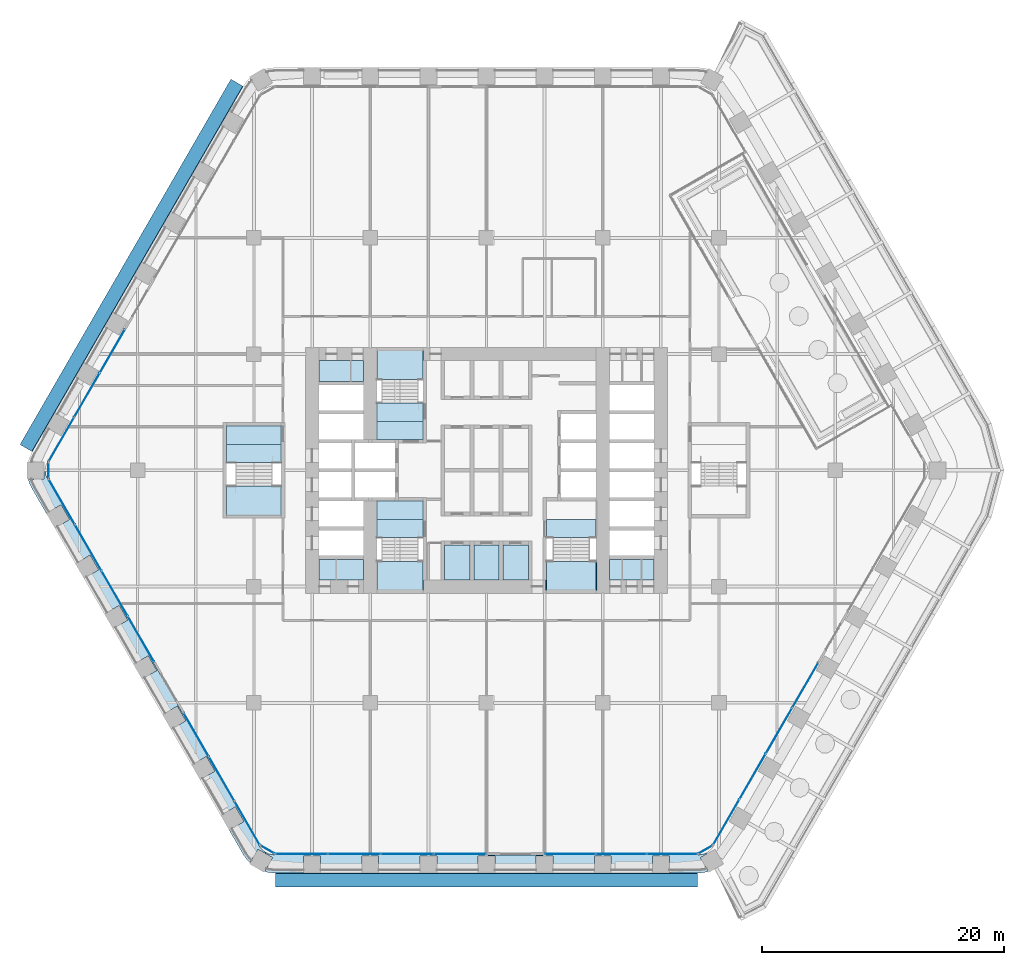
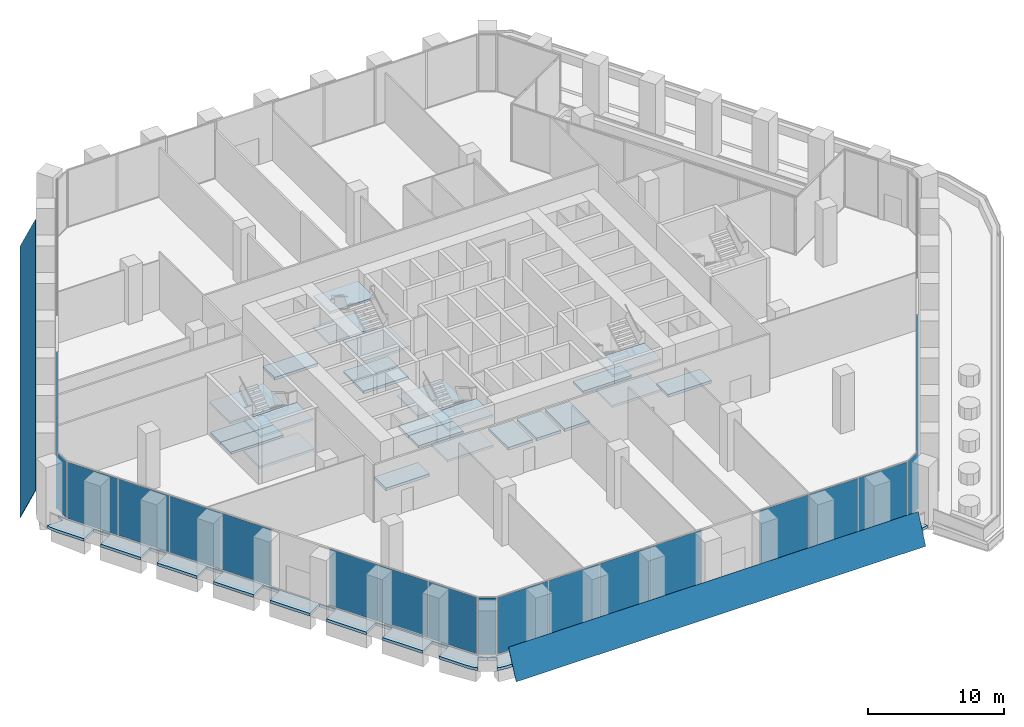
# One storey, part 17 of 32: 26 plates, 26 slabs, 13 elements without a shape of their own.
"""IFC4 building model written with IfcOpenShell, lengths in metres."""

from ifc_helpers import new_model, si_unit, direction, frame, origin, origin_2d, place, context, subcontext, project, spatial, polyline, rectangle, outline, extrude, material, layer, layer_set, type_object, element, aggregate, save


model = new_model("IFC4")

# Units and contexts
model_context = context("Model", 3, precision=1e-05, world=origin(), true_north=direction((0.0, 1.0)))
body_context = subcontext(model_context, "Body", "Model", "MODEL_VIEW")
ifc_project = project(units=[si_unit("LENGTHUNIT", "METRE"), si_unit("AREAUNIT", "SQUARE_METRE"), si_unit("VOLUMEUNIT", "CUBIC_METRE"), si_unit("PLANEANGLEUNIT", "RADIAN"), si_unit("MASSUNIT", "GRAM", prefix="KILO")], contexts=[model_context])

# Site, building, storey
site_placement = place(None, origin())
site = spatial("IfcSite", under=ifc_project, at=site_placement, CompositionType="ELEMENT")
building_placement = place(site_placement, origin())
building = spatial("IfcBuilding", under=site, at=building_placement, Name="Kolab Exchange Tower", CompositionType="ELEMENT")
storey_placement = place(building_placement, frame((0.0, 0.0, 60.89990234375)))
storey = spatial("IfcBuildingStorey", under=building, at=storey_placement, Name="L11", CompositionType="ELEMENT", Elevation=60.89990234375)

# Slabs
ifc_material_1 = material(Name="Concrete C35/45", Category="concrete")
ifc_layer_1 = layer(ifc_material_1, 0.25)
ifc_layer_set_1 = layer_set([ifc_layer_1], Name="Concrete C35/45")
slab_type_1 = type_object("IfcSlabType", Name="FLOOR SLAB 250", PredefinedType="FLOOR", material=ifc_layer_set_1)
slab_1_placement = place(storey_placement, frame((0.0, 0.0, -0.25)))
element("IfcSlab", 1, at=slab_1_placement, inside=storey, type_object=slab_type_1, Name="slab/L11/floor/8", PredefinedType="FLOOR", context=body_context, shape_type="SweptSolid", body=[
    extrude(outline(polyline([(-21.449951171875, 3.64990234375), (-21.449951171875, 2.14990234375), (-16.949951171875, 2.14990234375), (-16.949951171875, 3.64990234375), (-21.449951171875, 3.64990234375)])), origin(), (0.0, 0.0, 1.0), 0.25),
])
slab_2_placement = place(storey_placement, frame((0.0, 0.0, -0.25)))
element("IfcSlab", 2, at=slab_2_placement, inside=storey, type_object=slab_type_1, Name="slab/L11/floor/10", PredefinedType="FLOOR", context=body_context, shape_type="SweptSolid", body=[
    extrude(outline(polyline([(-10.14990234375, -9.050048828125), (-10.14990234375, -7.35009765625), (-13.85009765625, -7.35009765625), (-13.85009765625, -9.050048828125), (-10.14990234375, -9.050048828125)])), origin(), (0.0, 0.0, 1.0), 0.25),
])
slab_3_placement = place(storey_placement, frame((0.0, 0.0, -0.25)))
element("IfcSlab", 3, at=slab_3_placement, inside=storey, type_object=slab_type_1, Name="slab/L11/floor/11", PredefinedType="FLOOR", context=body_context, shape_type="SweptSolid", body=[
    extrude(outline(polyline([(-13.85009765625, 7.35009765625), (-10.14990234375, 7.35009765625), (-10.14990234375, 9.050048828125), (-13.85009765625, 9.050048828125), (-13.85009765625, 7.35009765625)])), origin(), (0.0, 0.0, 1.0), 0.25),
])
slab_4_placement = place(storey_placement, frame((0.0, 0.0, -0.25)))
element("IfcSlab", 4, at=slab_4_placement, inside=storey, type_object=slab_type_1, Name="slab/L11/floor/12", PredefinedType="FLOOR", context=body_context, shape_type="SweptSolid", body=[
    extrude(outline(polyline([(10.14990234375, -7.35009765625), (10.14990234375, -9.050048828125), (13.85009765625, -9.050048828125), (13.85009765625, -7.35009765625), (10.14990234375, -7.35009765625)])), origin(), (0.0, 0.0, 1.0), 0.25),
])
slab_5_placement = place(storey_placement, frame((0.0, 0.0, -0.25)))
element("IfcSlab", 5, at=slab_5_placement, inside=storey, type_object=slab_type_1, Name="slab/L11/floor/15", PredefinedType="FLOOR", context=body_context, shape_type="SweptSolid", body=[
    extrude(outline(polyline([(1.050048828125, -6.14990234375), (-1.050048828125, -6.14990234375), (-1.050048828125, -9.050048828125), (1.050048828125, -9.050048828125), (1.050048828125, -6.14990234375)])), origin(), (0.0, 0.0, 1.0), 0.25),
])
slab_6_placement = place(storey_placement, frame((0.0, 0.0, -0.25)))
element("IfcSlab", 6, at=slab_6_placement, inside=storey, type_object=slab_type_1, Name="slab/L11/floor/17", PredefinedType="FLOOR", context=body_context, shape_type="SweptSolid", body=[
    extrude(outline(polyline([(-1.35009765625, -6.14990234375), (-3.449951171875, -6.14990234375), (-3.449951171875, -9.050048828125), (-1.35009765625, -9.050048828125), (-1.35009765625, -6.14990234375)])), origin(), (0.0, 0.0, 1.0), 0.25),
])
slab_7_placement = place(storey_placement, frame((0.0, 0.0, -0.25)))
element("IfcSlab", 7, at=slab_7_placement, inside=storey, type_object=slab_type_1, Name="slab/L11/floor/19", PredefinedType="FLOOR", context=body_context, shape_type="SweptSolid", body=[
    extrude(outline(polyline([(1.35009765625, -6.14990234375), (1.35009765625, -9.050048828125), (3.449951171875, -9.050048828125), (3.449951171875, -6.14990234375), (1.35009765625, -6.14990234375)])), origin(), (0.0, 0.0, 1.0), 0.25),
])
slab_8_placement = place(storey_placement, frame((0.0, 0.0, -0.25)))
element("IfcSlab", 8, at=slab_8_placement, inside=storey, type_object=slab_type_1, Name="slab/L11/floor/21", PredefinedType="FLOOR", context=body_context, shape_type="SweptSolid", body=[
    extrude(outline(polyline([(-9.050048828125, -4.050048828125), (-5.25, -4.050048828125), (-5.25, -2.550048828125), (-7.25, -2.550048828125), (-7.550048828125, -2.550048828125), (-9.050048828125, -2.550048828125), (-9.050048828125, -4.050048828125)])), origin(), (0.0, 0.0, 1.0), 0.25),
])
slab_9_placement = place(storey_placement, frame((0.0, 0.0, -0.25)))
element("IfcSlab", 9, at=slab_9_placement, inside=storey, type_object=slab_type_1, Name="slab/L11/floor/22", PredefinedType="FLOOR", context=body_context, shape_type="SweptSolid", body=[
    extrude(outline(polyline([(-5.25, 4.050048828125), (-9.050048828125, 4.050048828125), (-9.050048828125, 2.550048828125), (-7.550048828125, 2.550048828125), (-7.25, 2.550048828125), (-5.25, 2.550048828125), (-5.25, 4.050048828125)])), origin(), (0.0, 0.0, 1.0), 0.25),
])
ifc_layer_2 = layer(ifc_material_1, 0.25)
ifc_layer_set_2 = layer_set([ifc_layer_2], Name="Concrete C35/45")
slab_type_2 = type_object("IfcSlabType", Name="LOGGIA SLAB 250", PredefinedType="FLOOR", material=ifc_layer_set_2)
slab_10_placement = place(storey_placement, frame((0.0, 0.0, -0.25)))
element("IfcSlab", 10, at=slab_10_placement, inside=storey, type_object=slab_type_2, Name="slab/L11/loggia/3-0", PredefinedType="FLOOR", context=body_context, shape_type="SweptSolid", body=[
    extrude(outline(polyline([(-17.98095703125, -31.664794921875), (-18.218017578125, -31.554443359375), (-18.26806640625, -31.64111328125), (-17.66162109375, -31.990966796875), (-18.31494140625, -33.122314453125), (-17.989013671875, -33.209716796875), (-17.468017578125, -33.25537109375), (-15.10009765625, -33.25537109375), (-15.10009765625, -31.85546875), (-13.699951171875, -31.85546875), (-13.699951171875, -33.25537109375), (-10.300048828125, -33.25537109375), (-10.300048828125, -31.85546875), (-8.89990234375, -31.85546875), (-8.89990234375, -33.25537109375), (-5.5, -33.25537109375), (-5.5, -31.85546875), (-4.10009765625, -31.85546875), (-4.10009765625, -33.25537109375), (-0.699951171875, -33.25537109375), (-0.699951171875, -31.85546875), (0.699951171875, -31.85546875), (0.699951171875, -33.25537109375), (4.10009765625, -33.25537109375), (4.10009765625, -31.85546875), (5.5, -31.85546875), (5.5, -33.25537109375), (8.89990234375, -33.25537109375), (8.89990234375, -31.85546875), (10.300048828125, -31.85546875), (10.300048828125, -33.25537109375), (13.699951171875, -33.25537109375), (13.699951171875, -31.85546875), (15.10009765625, -31.85546875), (15.10009765625, -33.25537109375), (17.468017578125, -33.25537109375), (17.989013671875, -33.209716796875), (18.31494140625, -33.122314453125), (17.66162109375, -31.990966796875), (18.19775390625, -31.681640625), (18.149169921875, -31.586669921875), (18.149169921875, -31.58642578125), (17.98095703125, -31.664794921875), (17.728515625, -31.732666015625), (17.468017578125, -31.75537109375), (-17.468017578125, -31.75537109375), (-17.728515625, -31.732666015625), (-17.98095703125, -31.664794921875)])), origin(), (0.0, 0.0, 1.0), 0.25),
])
slab_11_placement = place(storey_placement, frame((0.0, 0.0, -0.25)))
element("IfcSlab", 11, at=slab_11_placement, inside=storey, type_object=slab_type_2, Name="slab/L11/loggia/4-0", PredefinedType="FLOOR", context=body_context, shape_type="SweptSolid", body=[
    extrude(outline(polyline([(-36.4130859375, -0.260498046875), (-36.435791015625, 0.0), (-36.535888671875, 0.0), (-36.535888671875, -0.699951171875), (-37.84228515625, -0.699951171875), (-37.7548828125, -1.026123046875), (-37.533935546875, -1.5), (-36.35009765625, -3.55078125), (-35.137451171875, -2.8505859375), (-34.4375, -4.063232421875), (-35.64990234375, -4.76318359375), (-33.949951171875, -7.70751953125), (-32.737548828125, -7.007568359375), (-32.03759765625, -8.219970703125), (-33.25, -8.920166015625), (-31.550048828125, -11.864501953125), (-30.337646484375, -11.16455078125), (-29.637451171875, -12.376953125), (-30.85009765625, -13.076904296875), (-29.14990234375, -16.021484375), (-27.9375, -15.321533203125), (-27.237548828125, -16.533935546875), (-28.449951171875, -17.23388671875), (-26.75, -20.178466796875), (-25.53759765625, -19.478271484375), (-24.837646484375, -20.69091796875), (-26.050048828125, -21.390869140625), (-24.35009765625, -24.335205078125), (-23.137451171875, -23.63525390625), (-22.4375, -24.84765625), (-23.64990234375, -25.5478515625), (-21.949951171875, -28.4921875), (-20.737548828125, -27.792236328125), (-20.03759765625, -29.004638671875), (-21.25, -29.70458984375), (-20.06591796875, -31.75537109375), (-19.76611328125, -32.183837890625), (-19.52734375, -32.42236328125), (-18.874267578125, -31.291015625), (-18.26806640625, -31.64111328125), (-18.218017578125, -31.554443359375), (-18.43212890625, -31.404541015625), (-18.616943359375, -31.219482421875), (-18.76708984375, -31.00537109375), (-36.23486328125, -0.75), (-36.345458984375, -0.512939453125), (-36.4130859375, -0.260498046875)])), origin(), (0.0, 0.0, 1.0), 0.25),
])

# Plates
ifc_material_2 = material(Name="Laminated glass, clear", Category="glass")
ifc_layer_3 = layer(ifc_material_2, 0.0400390625)
ifc_layer_set_3 = layer_set([ifc_layer_3], Name="Laminated glass, clear")
plate_type_1 = type_object("IfcPlateType", Name="OUTER SKIN LAMINATED GLASS SHEET 40", PredefinedType="SHEET", material=ifc_layer_set_3)
plate_1_placement = place(storey_placement, frame((17.41796875, -34.4248046875, -0.782958984375), z_axis=(0.0, -0.906313371638, 0.422606285318), x_axis=(-1.0, 0.0, 0.0)))
element("IfcPlate", 12, at=plate_1_placement, inside=storey, type_object=plate_type_1, Name="Outer skin", PredefinedType="SHEET", context=body_context, shape_type="SweptSolid", body=[
    extrude(outline(polyline([(0.0, 0.0), (34.8359375, 0.0), (34.8359375, -2.681116396013965), (0.0, -2.681116396013965), (0.0, 0.0)])), origin(), (0.0, 0.0, -1.0), 0.0400390625),
])
plate_2_placement = place(storey_placement, frame((-38.521728515625, 2.1279296875, -0.782958984375), z_axis=(-0.784870208586, 0.453144779835, 0.422656555825), x_axis=(0.499999525061, 0.86602567799, -6.71128e-07)))
element("IfcPlate", 13, at=plate_2_placement, inside=storey, type_object=plate_type_1, Name="Outer skin", PredefinedType="SHEET", context=body_context, shape_type="SweptSolid", body=[
    extrude(outline(polyline([(0.0, 0.0), (34.836057421033345, 0.0), (34.83604419163577, -2.681211543593562), (0.00019820265271474935, -2.6811599499533205), (0.0, 0.0)])), origin(), (0.0, 0.0, -1.0), 0.0400390625),
])

# Stair, slabs
ifc_material_3 = material(Name="Concrete C50/60", Category="concrete")
stair_type_1 = type_object("IfcStairType", Name="STAIR ST1 RISER 171.9", PredefinedType="DOUBLE_RETURN_STAIR", material=ifc_material_3)
stair_1_placement = place(storey_placement, origin())
stair_1 = element("IfcStair", 14, at=stair_1_placement, inside=storey, type_object=stair_type_1, Name="Stair 1", PredefinedType="DOUBLE_RETURN_STAIR")
ifc_layer_4 = layer(ifc_material_3, 0.199951171875)
ifc_layer_set_4 = layer_set([ifc_layer_4], Name="Concrete C50/60")
slab_type_3 = type_object("IfcSlabType", Name="STAIR LANDING 200", PredefinedType="LANDING", material=ifc_layer_set_4)
slab_12_placement = place(storey_placement, frame((0.0, 0.0, -0.199951171875)))
slab_12 = element("IfcSlab", 15, at=slab_12_placement, type_object=slab_type_3, Name="ST1 landing 1", PredefinedType="LANDING", context=body_context, shape_type="SweptSolid", body=[
    extrude(outline(polyline([(-9.050048828125, 4.050048828125), (-5.25, 4.050048828125), (-5.25, 5.550048828125), (-9.050048828125, 5.550048828125), (-9.050048828125, 4.050048828125)])), origin(), (0.0, 0.0, 1.0), 0.199951171875),
])
slab_13_placement = place(storey_placement, frame((0.0, 0.0, 1.175048828125)))
slab_13 = element("IfcSlab", 16, at=slab_13_placement, type_object=slab_type_3, Name="ST1 landing 2", PredefinedType="LANDING", context=body_context, shape_type="SweptSolid", body=[
    extrude(outline(polyline([(-9.110107421875, 7.510009765625), (-5.18994140625, 7.510009765625), (-5.18994140625, 9.909912109375), (-9.110107421875, 9.909912109375), (-9.110107421875, 7.510009765625)])), origin(), (0.0, 0.0, 1.0), 0.199951171875),
])
slab_14_placement = place(storey_placement, frame((0.0, 0.0, 2.550048828125)))
slab_14 = element("IfcSlab", 17, at=slab_14_placement, type_object=slab_type_3, Name="ST1 landing 3", PredefinedType="LANDING", context=body_context, shape_type="SweptSolid", body=[
    extrude(outline(polyline([(-9.110107421875, 2.489990234375), (-5.18994140625, 2.489990234375), (-5.18994140625, 5.550048828125), (-9.110107421875, 5.550048828125), (-9.110107421875, 2.489990234375)])), origin(), (0.0, 0.0, 1.0), 0.199951171875),
])
slab_15_placement = place(storey_placement, frame((0.0, 0.0, 3.925048828125)))
slab_15 = element("IfcSlab", 18, at=slab_15_placement, type_object=slab_type_3, Name="ST1 landing 4", PredefinedType="LANDING", context=body_context, shape_type="SweptSolid", body=[
    extrude(outline(polyline([(-9.050048828125, 7.510009765625), (-5.25, 7.510009765625), (-5.25, 9.909912109375), (-9.050048828125, 9.909912109375), (-9.050048828125, 7.510009765625)])), origin(), (0.0, 0.0, 1.0), 0.199951171875),
])
aggregate(stair_1, [slab_12, slab_13, slab_14, slab_15])

stair_type_2 = type_object("IfcStairType", Name="STAIR ST3 RISER 171.9", PredefinedType="DOUBLE_RETURN_STAIR", material=ifc_material_3)
stair_2_placement = place(storey_placement, origin())
stair_2 = element("IfcStair", 19, at=stair_2_placement, inside=storey, type_object=stair_type_2, Name="Stair 3", PredefinedType="DOUBLE_RETURN_STAIR")
slab_16_placement = place(storey_placement, frame((0.0, 0.0, -0.199951171875)))
slab_16 = element("IfcSlab", 20, at=slab_16_placement, type_object=slab_type_3, Name="ST3 landing 1", PredefinedType="LANDING", context=body_context, shape_type="SweptSolid", body=[
    extrude(outline(polyline([(-9.050048828125, -5.550048828125), (-5.25, -5.550048828125), (-5.25, -4.050048828125), (-9.050048828125, -4.050048828125), (-9.050048828125, -5.550048828125)])), origin(), (0.0, 0.0, 1.0), 0.199951171875),
])
slab_17_placement = place(storey_placement, frame((0.0, 0.0, 1.175048828125)))
slab_17 = element("IfcSlab", 21, at=slab_17_placement, type_object=slab_type_3, Name="ST3 landing 2", PredefinedType="LANDING", context=body_context, shape_type="SweptSolid", body=[
    extrude(outline(polyline([(-9.110107421875, -9.909912109375), (-5.18994140625, -9.909912109375), (-5.18994140625, -7.510009765625), (-9.110107421875, -7.510009765625), (-9.110107421875, -9.909912109375)])), origin(), (0.0, 0.0, 1.0), 0.199951171875),
])
slab_18_placement = place(storey_placement, frame((0.0, 0.0, 2.550048828125)))
slab_18 = element("IfcSlab", 22, at=slab_18_placement, type_object=slab_type_3, Name="ST3 landing 3", PredefinedType="LANDING", context=body_context, shape_type="SweptSolid", body=[
    extrude(outline(polyline([(-9.110107421875, -5.550048828125), (-5.18994140625, -5.550048828125), (-5.18994140625, -2.489990234375), (-9.110107421875, -2.489990234375), (-9.110107421875, -5.550048828125)])), origin(), (0.0, 0.0, 1.0), 0.199951171875),
])
slab_19_placement = place(storey_placement, frame((0.0, 0.0, 3.925048828125)))
slab_19 = element("IfcSlab", 23, at=slab_19_placement, type_object=slab_type_3, Name="ST3 landing 4", PredefinedType="LANDING", context=body_context, shape_type="SweptSolid", body=[
    extrude(outline(polyline([(-9.050048828125, -9.909912109375), (-5.25, -9.909912109375), (-5.25, -7.510009765625), (-9.050048828125, -7.510009765625), (-9.050048828125, -9.909912109375)])), origin(), (0.0, 0.0, 1.0), 0.199951171875),
])
aggregate(stair_2, [slab_16, slab_17, slab_18, slab_19])

stair_type_3 = type_object("IfcStairType", Name="STAIR ST2 RISER 171.9", PredefinedType="DOUBLE_RETURN_STAIR", material=ifc_material_3)
stair_3_placement = place(storey_placement, origin())
stair_3 = element("IfcStair", 24, at=stair_3_placement, inside=storey, type_object=stair_type_3, Name="Stair 2", PredefinedType="DOUBLE_RETURN_STAIR")
slab_20_placement = place(storey_placement, frame((0.0, 0.0, -0.199951171875)))
slab_20 = element("IfcSlab", 25, at=slab_20_placement, type_object=slab_type_3, Name="ST2 landing 1", PredefinedType="LANDING", context=body_context, shape_type="SweptSolid", body=[
    extrude(outline(polyline([(4.949951171875, -5.550048828125), (9.050048828125, -5.550048828125), (9.050048828125, -4.050048828125), (4.949951171875, -4.050048828125), (4.949951171875, -5.550048828125)])), origin(), (0.0, 0.0, 1.0), 0.199951171875),
])
slab_21_placement = place(storey_placement, frame((0.0, 0.0, 1.175048828125)))
slab_21 = element("IfcSlab", 26, at=slab_21_placement, type_object=slab_type_3, Name="ST2 landing 2", PredefinedType="LANDING", context=body_context, shape_type="SweptSolid", body=[
    extrude(outline(polyline([(4.889892578125, -9.909912109375), (9.110107421875, -9.909912109375), (9.110107421875, -7.510009765625), (4.889892578125, -7.510009765625), (4.889892578125, -9.909912109375)])), origin(), (0.0, 0.0, 1.0), 0.199951171875),
])
slab_22_placement = place(storey_placement, frame((0.0, 0.0, 3.925048828125)))
slab_22 = element("IfcSlab", 27, at=slab_22_placement, type_object=slab_type_3, Name="ST2 landing 4", PredefinedType="LANDING", context=body_context, shape_type="SweptSolid", body=[
    extrude(outline(polyline([(4.949951171875, -9.909912109375), (9.050048828125, -9.909912109375), (9.050048828125, -7.510009765625), (4.949951171875, -7.510009765625), (4.949951171875, -9.909912109375)])), origin(), (0.0, 0.0, 1.0), 0.199951171875),
])
aggregate(stair_3, [slab_20, slab_21, slab_22])

stair_type_4 = type_object("IfcStairType", Name="STAIR ST5 RISER 171.9", PredefinedType="DOUBLE_RETURN_STAIR", material=ifc_material_3)
stair_4_placement = place(storey_placement, origin())
stair_4 = element("IfcStair", 28, at=stair_4_placement, inside=storey, type_object=stair_type_4, Name="Stair 5", PredefinedType="DOUBLE_RETURN_STAIR")
slab_23_placement = place(storey_placement, frame((0.0, 0.0, -0.199951171875)))
slab_23 = element("IfcSlab", 29, at=slab_23_placement, type_object=slab_type_3, Name="ST5 landing 1", PredefinedType="LANDING", context=body_context, shape_type="SweptSolid", body=[
    extrude(outline(polyline([(-21.449951171875, 0.64990234375), (-16.949951171875, 0.64990234375), (-16.949951171875, 2.14990234375), (-21.449951171875, 2.14990234375), (-21.449951171875, 0.64990234375)])), origin(), (0.0, 0.0, 1.0), 0.199951171875),
])
slab_24_placement = place(storey_placement, frame((0.0, 0.0, 1.175048828125)))
slab_24 = element("IfcSlab", 30, at=slab_24_placement, type_object=slab_type_3, Name="ST5 landing 2", PredefinedType="LANDING", context=body_context, shape_type="SweptSolid", body=[
    extrude(outline(polyline([(-21.510009765625, -3.7099609375), (-16.889892578125, -3.7099609375), (-16.889892578125, -1.31005859375), (-21.510009765625, -1.31005859375), (-21.510009765625, -3.7099609375)])), origin(), (0.0, 0.0, 1.0), 0.199951171875),
])
slab_25_placement = place(storey_placement, frame((0.0, 0.0, 2.550048828125)))
slab_25 = element("IfcSlab", 31, at=slab_25_placement, type_object=slab_type_3, Name="ST5 landing 3", PredefinedType="LANDING", context=body_context, shape_type="SweptSolid", body=[
    extrude(outline(polyline([(-21.510009765625, 0.64990234375), (-16.889892578125, 0.64990234375), (-16.889892578125, 3.7099609375), (-21.510009765625, 3.7099609375), (-21.510009765625, 0.64990234375)])), origin(), (0.0, 0.0, 1.0), 0.199951171875),
])
slab_26_placement = place(storey_placement, frame((0.0, 0.0, 3.925048828125)))
slab_26 = element("IfcSlab", 32, at=slab_26_placement, type_object=slab_type_3, Name="ST5 landing 4", PredefinedType="LANDING", context=body_context, shape_type="SweptSolid", body=[
    extrude(outline(polyline([(-21.449951171875, -3.7099609375), (-16.949951171875, -3.7099609375), (-16.949951171875, -1.31005859375), (-21.449951171875, -1.31005859375), (-21.449951171875, -3.7099609375)])), origin(), (0.0, 0.0, 1.0), 0.199951171875),
])
aggregate(stair_4, [slab_23, slab_24, slab_25, slab_26])

# Curtain wall, plates
ifc_material_4 = material(Name="Aluminium EN AW-6063 T6", Category="aluminium")
curtain_wall_type = type_object("IfcCurtainWallType", Name="UNITISED LOW ZONE CURTAIN WALL", PredefinedType="NOTDEFINED", material=ifc_material_4)
curtain_wall_1_placement = place(storey_placement, origin())
curtain_wall_1 = element("IfcCurtainWall", 33, at=curtain_wall_1_placement, inside=storey, type_object=curtain_wall_type, Name="cw/L11/F3-2", PredefinedType="NOTDEFINED")
ifc_material_5 = material(Name="Clear insulated glazing unit", Category="glass")
ifc_layer_5 = layer(ifc_material_5, 0.02392578125)
ifc_layer_set_5 = layer_set([ifc_layer_5], Name="Clear insulated glazing unit")
plate_type_2 = type_object("IfcPlateType", Name="UNITISED LOW ZONE GLASS PANEL 24", PredefinedType="CURTAIN_PANEL", material=ifc_layer_set_5)
plate_3_placement = place(storey_placement, frame((26.33251953125, -17.74169921875, 0.06005859375), z_axis=(0.0, 0.0, 1.0), x_axis=(-0.5000000112, -0.866025397318, 0.0)))
plate_3 = element("IfcPlate", 34, at=plate_3_placement, type_object=plate_type_2, Name="CW1 panel 1.1", PredefinedType="CURTAIN_PANEL", context=body_context, shape_type="SweptSolid", body=[
    extrude(rectangle(XDim=4.277099609375, YDim=0.02392578125, at=origin_2d()), origin(), (0.0, 0.0, 1.0), 5.080078125),
])
plate_4_placement = place(storey_placement, frame((24.156494140625, -21.510498046875, 0.06005859375), z_axis=(0.0, 0.0, 1.0), x_axis=(-0.5000000112, -0.866025397318, 0.0)))
plate_4 = element("IfcPlate", 35, at=plate_4_placement, type_object=plate_type_2, Name="CW1 panel 2.1", PredefinedType="CURTAIN_PANEL", context=body_context, shape_type="SweptSolid", body=[
    extrude(rectangle(XDim=4.306884765625, YDim=0.02392578125, at=origin_2d()), origin(), (0.0, 0.0, 1.0), 5.080078125),
])
plate_5_placement = place(storey_placement, frame((21.972900390625, -25.29248046875, 0.06005859375), z_axis=(0.0, 0.0, 1.0), x_axis=(-0.5000000112, -0.866025397318, 0.0)))
plate_5 = element("IfcPlate", 36, at=plate_5_placement, type_object=plate_type_2, Name="CW1 panel 3.1", PredefinedType="CURTAIN_PANEL", context=body_context, shape_type="SweptSolid", body=[
    extrude(rectangle(XDim=4.306884765625, YDim=0.02392578125, at=origin_2d()), origin(), (0.0, 0.0, 1.0), 5.080078125),
])
plate_6_placement = place(storey_placement, frame((19.796875, -29.0615234375, 0.06005859375), z_axis=(0.0, 0.0, 1.0), x_axis=(-0.5000000112, -0.866025397318, 0.0)))
plate_6 = element("IfcPlate", 37, at=plate_6_placement, type_object=plate_type_2, Name="CW1 panel 4.1", PredefinedType="CURTAIN_PANEL", context=body_context, shape_type="SweptSolid", body=[
    extrude(rectangle(XDim=4.277099609375, YDim=0.02392578125, at=origin_2d()), origin(), (0.0, 0.0, 1.0), 5.080078125),
])
aggregate(curtain_wall_1, [plate_3, plate_4, plate_5, plate_6])

curtain_wall_2_placement = place(storey_placement, origin())
curtain_wall_2 = element("IfcCurtainWall", 38, at=curtain_wall_2_placement, inside=storey, type_object=curtain_wall_type, Name="cw/L11/F4-1", PredefinedType="NOTDEFINED")
plate_7_placement = place(storey_placement, frame((15.341552734375, -31.67529296875, 0.06005859375), z_axis=(0.0, 0.0, 1.0), x_axis=(-1.0, 0.0, 0.0)))
plate_7 = element("IfcPlate", 39, at=plate_7_placement, type_object=plate_type_2, Name="CW1 panel 1.1", PredefinedType="CURTAIN_PANEL", context=body_context, shape_type="SweptSolid", body=[
    extrude(rectangle(XDim=4.132568359375, YDim=0.02392578125, at=origin_2d()), origin(), (0.0, 0.0, 1.0), 5.080078125),
])
plate_8_placement = place(storey_placement, frame((11.134033203125, -31.67529296875, 0.06005859375), z_axis=(0.0, 0.0, 1.0), x_axis=(-1.0, 0.0, 0.0)))
plate_8 = element("IfcPlate", 40, at=plate_8_placement, type_object=plate_type_2, Name="CW1 panel 2.1", PredefinedType="CURTAIN_PANEL", context=body_context, shape_type="SweptSolid", body=[
    extrude(rectangle(XDim=4.16259765625, YDim=0.02392578125, at=origin_2d()), origin(), (0.0, 0.0, 1.0), 5.080078125),
])
plate_9_placement = place(storey_placement, frame((6.92626953125, -31.67529296875, 0.06005859375), z_axis=(0.0, 0.0, 1.0), x_axis=(-1.0, 0.0, 0.0)))
plate_9 = element("IfcPlate", 41, at=plate_9_placement, type_object=plate_type_2, Name="CW1 panel 3.1", PredefinedType="CURTAIN_PANEL", context=body_context, shape_type="SweptSolid", body=[
    extrude(rectangle(XDim=4.132568359375, YDim=0.02392578125, at=origin_2d()), origin(), (0.0, 0.0, 1.0), 5.080078125),
])
aggregate(curtain_wall_2, [plate_7, plate_8, plate_9])

curtain_wall_3_placement = place(storey_placement, origin())
curtain_wall_3 = element("IfcCurtainWall", 42, at=curtain_wall_3_placement, inside=storey, type_object=curtain_wall_type, Name="cw/L11/F4-2", PredefinedType="NOTDEFINED")
plate_10_placement = place(storey_placement, frame((-2.198486328125, -31.67529296875, 0.06005859375), z_axis=(0.0, 0.0, 1.0), x_axis=(-1.0, 0.0, 0.0)))
plate_10 = element("IfcPlate", 43, at=plate_10_placement, type_object=plate_type_2, Name="CW1 panel 1.1", PredefinedType="CURTAIN_PANEL", context=body_context, shape_type="SweptSolid", body=[
    extrude(rectangle(XDim=4.277099609375, YDim=0.02392578125, at=origin_2d()), origin(), (0.0, 0.0, 1.0), 5.080078125),
])
plate_11_placement = place(storey_placement, frame((-6.550537109375, -31.67529296875, 0.06005859375), z_axis=(0.0, 0.0, 1.0), x_axis=(-1.0, 0.0, 0.0)))
plate_11 = element("IfcPlate", 44, at=plate_11_placement, type_object=plate_type_2, Name="CW1 panel 2.1", PredefinedType="CURTAIN_PANEL", context=body_context, shape_type="SweptSolid", body=[
    extrude(rectangle(XDim=4.306884765625, YDim=0.02392578125, at=origin_2d()), origin(), (0.0, 0.0, 1.0), 5.080078125),
])
plate_12_placement = place(storey_placement, frame((-10.91748046875, -31.67529296875, 0.06005859375), z_axis=(0.0, 0.0, 1.0), x_axis=(-1.0, 0.0, 0.0)))
plate_12 = element("IfcPlate", 45, at=plate_12_placement, type_object=plate_type_2, Name="CW1 panel 3.1", PredefinedType="CURTAIN_PANEL", context=body_context, shape_type="SweptSolid", body=[
    extrude(rectangle(XDim=4.306884765625, YDim=0.02392578125, at=origin_2d()), origin(), (0.0, 0.0, 1.0), 5.080078125),
])
plate_13_placement = place(storey_placement, frame((-15.26953125, -31.67529296875, 0.06005859375), z_axis=(0.0, 0.0, 1.0), x_axis=(-1.0, 0.0, 0.0)))
plate_13 = element("IfcPlate", 46, at=plate_13_placement, type_object=plate_type_2, Name="CW1 panel 4.1", PredefinedType="CURTAIN_PANEL", context=body_context, shape_type="SweptSolid", body=[
    extrude(rectangle(XDim=4.277099609375, YDim=0.02392578125, at=origin_2d()), origin(), (0.0, 0.0, 1.0), 5.080078125),
])
aggregate(curtain_wall_3, [plate_10, plate_11, plate_12, plate_13])

curtain_wall_4_placement = place(storey_placement, origin())
curtain_wall_4 = element("IfcCurtainWall", 47, at=curtain_wall_4_placement, inside=storey, type_object=curtain_wall_type, Name="cw/L11/F5-1", PredefinedType="NOTDEFINED")
plate_14_placement = place(storey_placement, frame((-19.760986328125, -29.1240234375, 0.06005859375), z_axis=(0.0, 0.0, 1.0), x_axis=(-0.500000017564, 0.866025393644, 0.0)))
plate_14 = element("IfcPlate", 48, at=plate_14_placement, type_object=plate_type_2, Name="CW1 panel 1.1", PredefinedType="CURTAIN_PANEL", context=body_context, shape_type="SweptSolid", body=[
    extrude(rectangle(XDim=4.132568359375, YDim=0.02392578125, at=origin_2d()), origin(), (0.0, 0.0, 1.0), 5.080078125),
])
plate_15_placement = place(storey_placement, frame((-21.86474609375, -25.47998046875, 0.06005859375), z_axis=(0.0, 0.0, 1.0), x_axis=(-0.500000017564, 0.866025393644, 0.0)))
plate_15 = element("IfcPlate", 49, at=plate_15_placement, type_object=plate_type_2, Name="CW1 panel 2.1", PredefinedType="CURTAIN_PANEL", context=body_context, shape_type="SweptSolid", body=[
    extrude(rectangle(XDim=4.16259765625, YDim=0.02392578125, at=origin_2d()), origin(), (0.0, 0.0, 1.0), 5.080078125),
])
plate_16_placement = place(storey_placement, frame((-23.968505859375, -21.836181640625, 0.06005859375), z_axis=(0.0, 0.0, 1.0), x_axis=(-0.500000017564, 0.866025393644, 0.0)))
plate_16 = element("IfcPlate", 50, at=plate_16_placement, type_object=plate_type_2, Name="CW1 panel 3.1", PredefinedType="CURTAIN_PANEL", context=body_context, shape_type="SweptSolid", body=[
    extrude(rectangle(XDim=4.132568359375, YDim=0.02392578125, at=origin_2d()), origin(), (0.0, 0.0, 1.0), 5.080078125),
])
aggregate(curtain_wall_4, [plate_14, plate_15, plate_16])

curtain_wall_5_placement = place(storey_placement, origin())
curtain_wall_5 = element("IfcCurtainWall", 51, at=curtain_wall_5_placement, inside=storey, type_object=curtain_wall_type, Name="cw/L11/F5-2", PredefinedType="NOTDEFINED")
plate_17_placement = place(storey_placement, frame((-28.531005859375, -13.933837890625, 0.06005859375), z_axis=(0.0, 0.0, 1.0), x_axis=(-0.499999968274, 0.866025422102, 0.0)))
plate_17 = element("IfcPlate", 52, at=plate_17_placement, type_object=plate_type_2, Name="CW1 panel 1.1", PredefinedType="CURTAIN_PANEL", context=body_context, shape_type="SweptSolid", body=[
    extrude(rectangle(XDim=4.277099609375, YDim=0.02392578125, at=origin_2d()), origin(), (0.0, 0.0, 1.0), 5.080078125),
])
plate_18_placement = place(storey_placement, frame((-30.70703125, -10.164794921875, 0.06005859375), z_axis=(0.0, 0.0, 1.0), x_axis=(-0.499999968274, 0.866025422102, 0.0)))
plate_18 = element("IfcPlate", 53, at=plate_18_placement, type_object=plate_type_2, Name="CW1 panel 2.1", PredefinedType="CURTAIN_PANEL", context=body_context, shape_type="SweptSolid", body=[
    extrude(rectangle(XDim=4.306884765625, YDim=0.02392578125, at=origin_2d()), origin(), (0.0, 0.0, 1.0), 5.080078125),
])
plate_19_placement = place(storey_placement, frame((-32.890380859375, -6.3828125, 0.06005859375), z_axis=(0.0, 0.0, 1.0), x_axis=(-0.499999968274, 0.866025422102, 0.0)))
plate_19 = element("IfcPlate", 54, at=plate_19_placement, type_object=plate_type_2, Name="CW1 panel 3.1", PredefinedType="CURTAIN_PANEL", context=body_context, shape_type="SweptSolid", body=[
    extrude(rectangle(XDim=4.306884765625, YDim=0.02392578125, at=origin_2d()), origin(), (0.0, 0.0, 1.0), 5.080078125),
])
plate_20_placement = place(storey_placement, frame((-35.06640625, -2.614013671875, 0.06005859375), z_axis=(0.0, 0.0, 1.0), x_axis=(-0.499999968274, 0.866025422102, 0.0)))
plate_20 = element("IfcPlate", 55, at=plate_20_placement, type_object=plate_type_2, Name="CW1 panel 4.1", PredefinedType="CURTAIN_PANEL", context=body_context, shape_type="SweptSolid", body=[
    extrude(rectangle(XDim=4.277099609375, YDim=0.02392578125, at=origin_2d()), origin(), (0.0, 0.0, 1.0), 5.080078125),
])
aggregate(curtain_wall_5, [plate_17, plate_18, plate_19, plate_20])

curtain_wall_6_placement = place(storey_placement, origin())
curtain_wall_6 = element("IfcCurtainWall", 56, at=curtain_wall_6_placement, inside=storey, type_object=curtain_wall_type, Name="cw/L11/F6-1", PredefinedType="NOTDEFINED")
plate_21_placement = place(storey_placement, frame((-35.1025390625, 2.551513671875, 0.06005859375), z_axis=(0.0, 0.0, 1.0), x_axis=(0.499999958358, 0.866025427826, 0.0)))
plate_21 = element("IfcPlate", 57, at=plate_21_placement, type_object=plate_type_2, Name="CW1 panel 1.1", PredefinedType="CURTAIN_PANEL", context=body_context, shape_type="SweptSolid", body=[
    extrude(rectangle(XDim=4.132568359375, YDim=0.02392578125, at=origin_2d()), origin(), (0.0, 0.0, 1.0), 5.080078125),
])
plate_22_placement = place(storey_placement, frame((-32.998779296875, 6.1953125, 0.06005859375), z_axis=(0.0, 0.0, 1.0), x_axis=(0.499999958358, 0.866025427826, 0.0)))
plate_22 = element("IfcPlate", 58, at=plate_22_placement, type_object=plate_type_2, Name="CW1 panel 2.1", PredefinedType="CURTAIN_PANEL", context=body_context, shape_type="SweptSolid", body=[
    extrude(rectangle(XDim=4.16259765625, YDim=0.02392578125, at=origin_2d()), origin(), (0.0, 0.0, 1.0), 5.080078125),
])
plate_23_placement = place(storey_placement, frame((-30.894775390625, 9.83935546875, 0.06005859375), z_axis=(0.0, 0.0, 1.0), x_axis=(0.499999958358, 0.866025427826, 0.0)))
plate_23 = element("IfcPlate", 59, at=plate_23_placement, type_object=plate_type_2, Name="CW1 panel 3.1", PredefinedType="CURTAIN_PANEL", context=body_context, shape_type="SweptSolid", body=[
    extrude(rectangle(XDim=4.132568359375, YDim=0.02392578125, at=origin_2d()), origin(), (0.0, 0.0, 1.0), 5.080078125),
])
aggregate(curtain_wall_6, [plate_21, plate_22, plate_23])

# Curtain wall, plate
curtain_wall_7_placement = place(storey_placement, origin())
curtain_wall_7 = element("IfcCurtainWall", 60, at=curtain_wall_7_placement, inside=storey, type_object=curtain_wall_type, Name="cw/L11/F3F4-corner", PredefinedType="NOTDEFINED")
plate_24_placement = place(storey_placement, frame((18.082763671875, -31.3203125, 0.06005859375), z_axis=(0.0, 0.0, 1.0), x_axis=(-0.866025390869, -0.50000002237, 0.0)))
plate_24 = element("IfcPlate", 61, at=plate_24_placement, type_object=plate_type_2, Name="CW1 panel 1.1", PredefinedType="CURTAIN_PANEL", context=body_context, shape_type="SweptSolid", body=[
    extrude(rectangle(XDim=1.300048828125, YDim=0.02392578125, at=origin_2d()), origin(), (0.0, 0.0, 1.0), 5.080078125),
])
aggregate(curtain_wall_7, [plate_24])

curtain_wall_8_placement = place(storey_placement, origin())
curtain_wall_8 = element("IfcCurtainWall", 62, at=curtain_wall_8_placement, inside=storey, type_object=curtain_wall_type, Name="cw/L11/F4F5-corner", PredefinedType="NOTDEFINED")
plate_25_placement = place(storey_placement, frame((-18.082763671875, -31.3203125, 0.06005859375), z_axis=(0.0, 0.0, 1.0), x_axis=(-0.866025390869, 0.50000002237, 0.0)))
plate_25 = element("IfcPlate", 63, at=plate_25_placement, type_object=plate_type_2, Name="CW1 panel 1.1", PredefinedType="CURTAIN_PANEL", context=body_context, shape_type="SweptSolid", body=[
    extrude(rectangle(XDim=1.300048828125, YDim=0.02392578125, at=origin_2d()), origin(), (0.0, 0.0, 1.0), 5.080078125),
])
aggregate(curtain_wall_8, [plate_25])

curtain_wall_9_placement = place(storey_placement, origin())
curtain_wall_9 = element("IfcCurtainWall", 64, at=curtain_wall_9_placement, inside=storey, type_object=curtain_wall_type, Name="cw/L11/F5F6-corner", PredefinedType="NOTDEFINED")
plate_26_placement = place(storey_placement, frame((-36.165771484375, 0.0, 0.06005859375), z_axis=(0.0, 0.0, 1.0), x_axis=(0.0, 1.0, 0.0)))
plate_26 = element("IfcPlate", 65, at=plate_26_placement, type_object=plate_type_2, Name="CW1 panel 1.1", PredefinedType="CURTAIN_PANEL", context=body_context, shape_type="SweptSolid", body=[
    extrude(rectangle(XDim=1.300048828125, YDim=0.02392578125, at=origin_2d()), origin(), (0.0, 0.0, 1.0), 5.080078125),
])
aggregate(curtain_wall_9, [plate_26])

save(model, "model.ifc")
